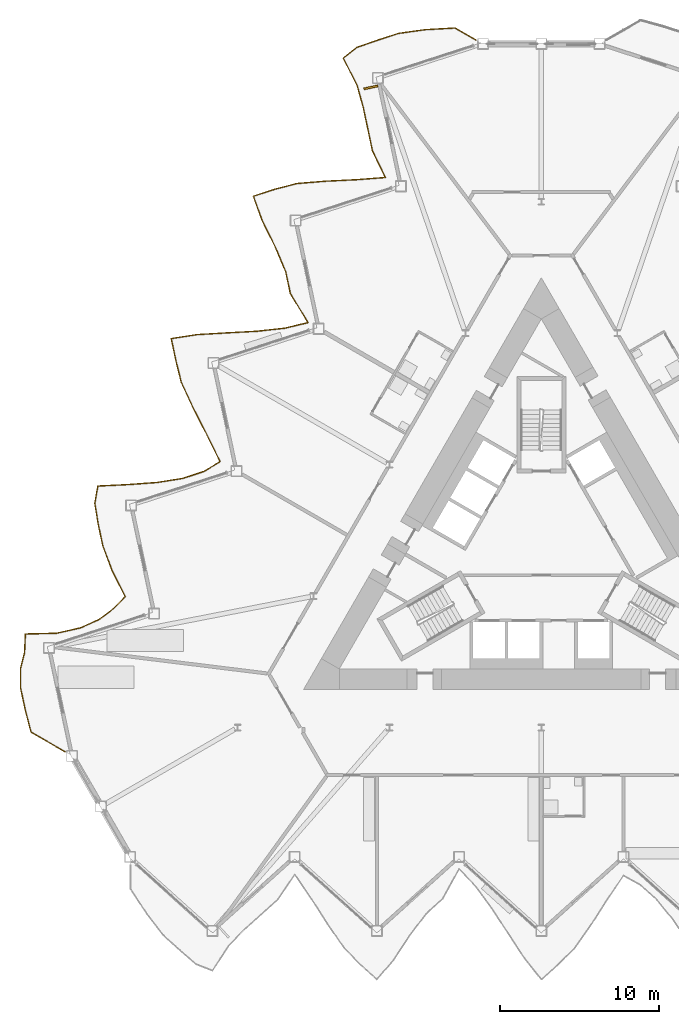
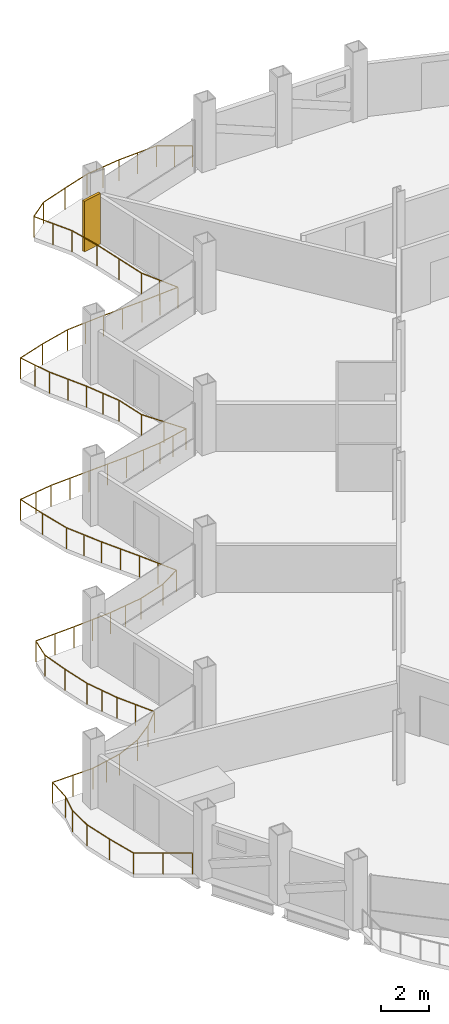
# One storey, part 21 of 24: 1 railing, 1 shading device.
"""IFC4 building model written with IfcOpenShell, lengths in metres."""

import ifcopenshell
import ifcopenshell.guid

model = None  # the IFC model being written
_history = None  # IfcOwnerHistory: only IFC2X3 demands one
_inside = {}  # id of a spatial element -> (the spatial element, [elements in it])
_under = {}  # id of a project, library or spatial element -> (it, [spatial elements below it])
_declared = {}  # id of a project -> (the project, [libraries it declares])
_typed = {}  # id of a type object -> (the type object, [elements of that type])
_made_of = {}  # id of a material, layer set ... -> (it, [elements and type objects made of it])


def new_model(schema):
    """Start an empty IFC model of exactly this schema.

    Asked for "IFC4X3", IfcOpenShell would pick the latest addendum, in which some entities
    have other attributes; the version numbers below select the first issue.
    IFC2X3 requires an IfcOwnerHistory on every rooted entity: one is made here for all.
    """
    global model, _history
    if schema == "IFC4X3":
        model = ifcopenshell.file(schema_version=(4, 3, 0, 0))
    else:
        model = ifcopenshell.file(schema=schema)
    _inside.clear()
    _under.clear()
    _declared.clear()
    _typed.clear()
    _made_of.clear()
    _history = None
    if model.schema == "IFC2X3":
        org = make("IfcOrganization", Name="unknown")
        user = make(
            "IfcPersonAndOrganization",
            ThePerson=make("IfcPerson", FamilyName="unknown"),
            TheOrganization=org,
        )
        app = make(
            "IfcApplication",
            ApplicationDeveloper=org,
            Version="unknown",
            ApplicationFullName="unknown",
            ApplicationIdentifier="unknown",
        )
        _history = make(
            "IfcOwnerHistory",
            OwningUser=user,
            OwningApplication=app,
            ChangeAction="ADDED",
            CreationDate=0,
        )
    return model


def make(cls, **values):
    """One entity of the class cls with the attributes given. An attribute that is None is left unset."""
    return model.create_entity(
        cls, **{name: value for name, value in values.items() if value is not None}
    )


def rooted(cls, **values):
    """An entity with a GlobalId (a new one), such as an element, a storey or a relation."""
    return make(cls, GlobalId=ifcopenshell.guid.new(), OwnerHistory=_history, **values)


def si_unit(unit_type, name, prefix=None):
    """IfcSIUnit, for example si_unit("LENGTHUNIT", "METRE", prefix="MILLI")."""
    return make("IfcSIUnit", UnitType=unit_type, Prefix=prefix, Name=name)


def assignment(units):
    """IfcUnitAssignment: the units of a project."""
    return None if units is None else make("IfcUnitAssignment", Units=units)


def point(xyz):
    """IfcCartesianPoint."""
    return None if xyz is None else make("IfcCartesianPoint", Coordinates=xyz)


def direction(xyz):
    """IfcDirection."""
    return None if xyz is None else make("IfcDirection", DirectionRatios=xyz)


def frame(location, z_axis=None, x_axis=None):
    """IfcAxis2Placement3D, a coordinate frame: its origin and axes. An axis left out is left unset."""
    return make(
        "IfcAxis2Placement3D",
        Location=point(location),
        Axis=direction(z_axis),
        RefDirection=direction(x_axis),
    )


def frame_2d(location, x_axis=None):
    """IfcAxis2Placement2D, a coordinate frame in the plane: its origin and x axis."""
    return make(
        "IfcAxis2Placement2D", Location=point(location), RefDirection=direction(x_axis)
    )


def origin():
    """The frame at (0, 0, 0) with its axes left unset."""
    return frame((0.0, 0.0, 0.0))


def origin_2d():
    """The frame at (0, 0) in the plane with its x axis left unset."""
    return frame_2d((0.0, 0.0))


def place(relative_to, where):
    """IfcLocalPlacement: puts the frame where relative to a parent placement (None: the world)."""
    return make(
        "IfcLocalPlacement", PlacementRelTo=relative_to, RelativePlacement=where
    )


def context(
    kind, dimensions, precision=None, world=None, true_north=None, identifier=None
):
    """IfcGeometricRepresentationContext, for example the 3D "Model" context."""
    return make(
        "IfcGeometricRepresentationContext",
        ContextIdentifier=identifier,
        ContextType=kind,
        CoordinateSpaceDimension=dimensions,
        Precision=precision,
        WorldCoordinateSystem=world,
        TrueNorth=true_north,
    )


def subcontext(parent, identifier, kind, view, scale=None):
    """IfcGeometricRepresentationSubContext, for example "Body" below "Model"."""
    return make(
        "IfcGeometricRepresentationSubContext",
        ContextIdentifier=identifier,
        ContextType=kind,
        ParentContext=parent,
        TargetScale=scale,
        TargetView=view,
    )


def project(units=None, contexts=None):
    """IfcProject with its units and contexts."""
    return rooted(
        "IfcProject",
        Name="project",
        RepresentationContexts=contexts,
        UnitsInContext=assignment(units),
    )


def spatial(cls, under=None, at=None, **own):
    """A site, building, storey or space (cls), placed at a placement, below another one or the project."""
    s = rooted(cls, ObjectPlacement=at, **own)
    if under is not None:
        _under.setdefault(under.id(), (under, []))[1].append(s)
    return s


def profile(cls, at=None, kind="AREA", **sizes):
    """A parametric profile (cls). Its sizes go by their IFC names, for example OverallWidth=200.0."""
    return make(cls, ProfileType=kind, Position=at, **sizes)


def rectangle(**sizes):
    """IfcRectangleProfileDef."""
    return profile("IfcRectangleProfileDef", **sizes)


def circle(**sizes):
    """IfcCircleProfileDef."""
    return profile("IfcCircleProfileDef", **sizes)


def extrude(swept, where, along, depth):
    """IfcExtrudedAreaSolid: the profile swept, set in the frame where, extruded along a direction by depth."""
    return make(
        "IfcExtrudedAreaSolid",
        SweptArea=swept,
        Position=where,
        ExtrudedDirection=direction(along),
        Depth=depth,
    )


def shape(context_of_items, identifier, shape_type, items):
    """IfcShapeRepresentation: the items that make up one representation, for example the "Body"."""
    return make(
        "IfcShapeRepresentation",
        ContextOfItems=context_of_items,
        RepresentationIdentifier=identifier,
        RepresentationType=shape_type,
        Items=items,
    )


def material(Name=None, Category=None):
    """IfcMaterial."""
    return make("IfcMaterial", Name=Name, Category=Category)


def layer(
    of_material, thickness, ventilated=None, Name=None, Category=None, Priority=None
):
    """IfcMaterialLayer: one layer of a wall or slab, of a material (None: an air gap)."""
    return make(
        "IfcMaterialLayer",
        Material=of_material,
        LayerThickness=thickness,
        IsVentilated=ventilated,
        Name=Name,
        Category=Category,
        Priority=Priority,
    )


def layer_set(layers, Name=None):
    """IfcMaterialLayerSet."""
    return make("IfcMaterialLayerSet", MaterialLayers=layers, LayerSetName=Name)


def made_of(thing, what):
    """Note that an element or type object is made of a material, layer set ...; save() writes the relation."""
    if what is not None:
        _made_of.setdefault(what.id(), (what, []))[1].append(thing)
    return thing


def type_object(cls, material=None, **own):
    """A type object (cls), such as IfcWallType, which elements share."""
    return made_of(rooted(cls, **own), material)


def element(
    cls,
    number,
    at=None,
    inside=None,
    cuts=None,
    type_object=None,
    material=None,
    context=None,
    identifier="Body",
    shape_type=None,
    held_by="IfcProductDefinitionShape",
    body=None,
    shapes=None,
    **own,
):
    """One element of the class cls, such as IfcWall. Its Tag is "e" and its number.

    at: its placement. inside: the storey or other place that contains it. cuts: it is an
    opening in that element (IfcRelVoidsElement). A single representation is given by context,
    identifier, shape_type and body (its items); several are given by shapes. held_by: the class
    of the entity that holds the representations. save() writes the other relations.
    """
    e = rooted(cls, Tag="e%d" % number, ObjectPlacement=at, **own)
    if body is not None:
        shapes = [shape(context, identifier, shape_type, body)]
    if shapes is not None:
        e.Representation = make(held_by, Representations=shapes)
    if inside is not None:
        _inside.setdefault(inside.id(), (inside, []))[1].append(e)
    if cuts is not None:
        rooted(
            "IfcRelVoidsElement", RelatingBuildingElement=cuts, RelatedOpeningElement=e
        )
    if type_object is not None:
        _typed.setdefault(type_object.id(), (type_object, []))[1].append(e)
    return made_of(e, material)


def aggregate(whole, parts):
    """IfcRelAggregates: a whole, such as a stair, and the parts it consists of."""
    return rooted("IfcRelAggregates", RelatingObject=whole, RelatedObjects=parts)


def save(model, path):
    """Write the relations noted so far, then the file.

    IfcRelAggregates (storeys below a building ...), IfcRelContainedInSpatialStructure (elements
    in a storey), IfcRelDefinesByType, IfcRelAssociatesMaterial and IfcRelDeclares: one each for
    every whole, place, type object, material and project.
    """
    for whole, parts in _under.values():
        aggregate(whole, parts)
    for where, things in _inside.values():
        rooted(
            "IfcRelContainedInSpatialStructure",
            RelatedElements=things,
            RelatingStructure=where,
        )
    for kind, things in _typed.values():
        rooted("IfcRelDefinesByType", RelatedObjects=things, RelatingType=kind)
    for what, things in _made_of.values():
        rooted("IfcRelAssociatesMaterial", RelatedObjects=things, RelatingMaterial=what)
    for by, libraries in _declared.values():
        rooted("IfcRelDeclares", RelatingContext=by, RelatedDefinitions=libraries)
    model.write(path)


model = new_model("IFC4")

# Units and contexts
model_context = context("Model", 3, precision=1e-05, world=origin(), true_north=direction((0.0, 1.0)))
body_context = subcontext(model_context, "Body", "Model", "MODEL_VIEW")
ifc_project = project(units=[si_unit("LENGTHUNIT", "METRE"), si_unit("AREAUNIT", "SQUARE_METRE"), si_unit("VOLUMEUNIT", "CUBIC_METRE"), si_unit("PLANEANGLEUNIT", "RADIAN"), si_unit("MASSUNIT", "GRAM", prefix="KILO")], contexts=[model_context])

# Site, building, storey
site_placement = place(None, origin())
site = spatial("IfcSite", under=ifc_project, at=site_placement, CompositionType="ELEMENT")
building_placement = place(site_placement, origin())
building = spatial("IfcBuilding", under=site, at=building_placement, Name="Cormorant Prow Tower", CompositionType="ELEMENT")
storey_placement = place(building_placement, frame((0.0, 0.0, 270.60009765625)))
storey = spatial("IfcBuildingStorey", under=building, at=storey_placement, Name="L61", CompositionType="ELEMENT", Elevation=270.60009765625)

# Railing
ifc_material_1 = material(Name="Aluminium 6063-T6", Category="aluminium")
railing_type = type_object("IfcRailingType", Name="Balcony guard 1100", PredefinedType="GUARDRAIL", material=ifc_material_1)
railing_placement = place(storey_placement, frame((-4.12060546875, 32.31591796875, 0.0)))
element("IfcRailing", 1, at=railing_placement, inside=storey, type_object=railing_type, Name="Balcony guard WNW", PredefinedType="GUARDRAIL", context=body_context, shape_type="SweptSolid", body=[
    extrude(circle(Radius=0.02392578125, at=origin_2d()), frame((0.0, 0.0, 1.076171875), z_axis=(-0.866030456496, 0.499991248344, 0.0), x_axis=(-0.499991248344, -0.866030456496, 0.0)), (0.0, 0.0, 1.0), 1.52001953125),
    extrude(circle(Radius=0.02392578125, at=origin_2d()), frame((-1.31640625, 0.760009765625, 1.076171875), z_axis=(-0.998441257211, -0.055812685821, 0.0), x_axis=(0.055812685821, -0.998441257211, 0.0)), (0.0, 0.0, 1.0), 1.89404296875),
    extrude(circle(Radius=0.02392578125, at=origin_2d()), frame((-3.20751953125, 0.654296875, 1.076171875), z_axis=(-0.990522347648, -0.13735166111, 0.0), x_axis=(0.13735166111, -0.990522347648, 0.0)), (0.0, 0.0, 1.0), 1.688720703125),
    extrude(circle(Radius=0.02392578125, at=origin_2d()), frame((-4.880126953125, 0.42236328125, 1.076171875), z_axis=(-0.951070062621, -0.308975299961, 0.0), x_axis=(0.308975299961, -0.951070062621, 0.0)), (0.0, 0.0, 1.0), 1.3955078125),
    extrude(circle(Radius=0.02392578125, at=origin_2d()), frame((-6.207275390625, -0.0087890625, 1.076171875), z_axis=(-0.945287929623, -0.326237229802, 0.0), x_axis=(0.326237229802, -0.945287929623, 0.0)), (0.0, 0.0, 1.0), 1.373291015625),
    extrude(circle(Radius=0.02392578125, at=origin_2d()), frame((-7.50537109375, -0.456787109375, 1.076171875), z_axis=(-0.781317751431, -0.62413345632, 0.0), x_axis=(0.62413345632, -0.781317751431, 0.0)), (0.0, 0.0, 1.0), 1.11376953125),
    extrude(circle(Radius=0.02392578125, at=origin_2d()), frame((-8.37548828125, -1.15185546875, 1.076171875), z_axis=(0.456033866956, -0.889962421785, 0.0), x_axis=(0.889962421785, 0.456033866956, 0.0)), (0.0, 0.0, 1.0), 1.91064453125),
    extrude(circle(Radius=0.02392578125, at=origin_2d()), frame((-7.504150390625, -2.852294921875, 1.076171875), z_axis=(0.265340915805, -0.964154654814, 0.0), x_axis=(0.964154654814, 0.265340915805, 0.0)), (0.0, 0.0, 1.0), 1.476806640625),
    extrude(circle(Radius=0.02392578125, at=origin_2d()), frame((-7.1123046875, -4.276123046875, 1.076171875), z_axis=(0.208011494814, -0.978126381418, 0.0), x_axis=(0.978126381418, 0.208011494814, 0.0)), (0.0, 0.0, 1.0), 1.3955078125),
    extrude(circle(Radius=0.02392578125, at=origin_2d()), frame((-6.822021484375, -5.64111328125, 1.076171875), z_axis=(0.207844108816, -0.978161963292, 0.0), x_axis=(0.978161963292, 0.207844108816, 0.0)), (0.0, 0.0, 1.0), 1.3955078125),
    extrude(circle(Radius=0.02392578125, at=origin_2d()), frame((-6.531982421875, -7.006103515625, 1.076171875), z_axis=(0.437214931901, -0.899357049965, 0.0), x_axis=(0.899357049965, 0.437214931901, 0.0)), (0.0, 0.0, 1.0), 1.85107421875),
    extrude(circle(Radius=0.02392578125, at=origin_2d()), frame((-5.72265625, -8.6708984375, 1.076171875), z_axis=(-0.997130549267, -0.075701173826, 0.0), x_axis=(0.075701173826, -0.997130549267, 0.0)), (0.0, 0.0, 1.0), 1.83837890625),
    extrude(circle(Radius=0.02392578125, at=origin_2d()), frame((-7.5556640625, -8.81005859375, 1.076171875), z_axis=(-0.998819753931, -0.048570558551, 0.0), x_axis=(0.048570558551, -0.998819753931, 0.0)), (0.0, 0.0, 1.0), 1.9150390625),
    extrude(circle(Radius=0.02392578125, at=origin_2d()), frame((-9.468505859375, -8.903076171875, 1.076171875), z_axis=(-0.996802519892, -0.07990454516, 0.0), x_axis=(0.07990454516, -0.996802519892, 0.0)), (0.0, 0.0, 1.0), 1.8271484375),
    extrude(circle(Radius=0.02392578125, at=origin_2d()), frame((-11.289794921875, -9.049072265625, 1.076171875), z_axis=(-0.967804794979, -0.251701964268, 0.0), x_axis=(0.251701964268, -0.967804794979, 0.0)), (0.0, 0.0, 1.0), 1.477294921875),
    extrude(circle(Radius=0.02392578125, at=origin_2d()), frame((-12.719482421875, -9.4208984375, 1.076171875), z_axis=(-0.951035354166, -0.309082117125, 0.0), x_axis=(0.309082117125, -0.951035354166, 0.0)), (0.0, 0.0, 1.0), 1.395751953125),
    extrude(circle(Radius=0.02392578125, at=origin_2d()), frame((-14.046875, -9.852294921875, 1.076171875), z_axis=(0.336278456087, -0.941762602768, 0.0), x_axis=(0.941762602768, 0.336278456087, 0.0)), (0.0, 0.0, 1.0), 1.6015625),
    extrude(circle(Radius=0.02392578125, at=origin_2d()), frame((-13.50830078125, -11.360595703125, 1.076171875), z_axis=(0.444710837176, -0.895674199304, 0.0), x_axis=(0.895674199304, 0.444710837176, 0.0)), (0.0, 0.0, 1.0), 1.874267578125),
    extrude(circle(Radius=0.02392578125, at=origin_2d()), frame((-12.6748046875, -13.039306640625, 1.076171875), z_axis=(0.388577962589, -0.921415849109, 0.0), x_axis=(0.921415849109, 0.388577962589, 0.0)), (0.0, 0.0, 1.0), 1.7177734375),
    extrude(circle(Radius=0.02392578125, at=origin_2d()), frame((-12.00732421875, -14.6220703125, 1.076171875), z_axis=(0.208011494814, -0.978126381418, 0.0), x_axis=(0.978126381418, 0.208011494814, 0.0)), (0.0, 0.0, 1.0), 1.3955078125),
    extrude(circle(Radius=0.02392578125, at=origin_2d()), frame((-11.717041015625, -15.987060546875, 1.076171875), z_axis=(0.517332299857, -0.8557846058, 0.0), x_axis=(0.8557846058, 0.517332299857, 0.0)), (0.0, 0.0, 1.0), 2.149658203125),
    extrude(circle(Radius=0.02392578125, at=origin_2d()), frame((-10.60498046875, -17.82666015625, 1.076171875), z_axis=(-0.97245049545, -0.233109489081, 0.0), x_axis=(0.233109489081, -0.97245049545, 0.0)), (0.0, 0.0, 1.0), 1.507080078125),
    extrude(circle(Radius=0.02392578125, at=origin_2d()), frame((-12.070556640625, -18.177978515625, 1.076171875), z_axis=(-0.993986931126, -0.109498770549, 0.0), x_axis=(0.109498770549, -0.993986931126, 0.0)), (0.0, 0.0, 1.0), 1.75244140625),
    extrude(circle(Radius=0.02392578125, at=origin_2d()), frame((-13.8125, -18.369873046875, 1.076171875), z_axis=(-0.998548818791, -0.053854029486, 0.0), x_axis=(0.053854029486, -0.998548818791, 0.0)), (0.0, 0.0, 1.0), 1.8994140625),
    extrude(circle(Radius=0.02392578125, at=origin_2d()), frame((-15.709228515625, -18.47216796875, 1.076171875), z_axis=(-0.9983204373, -0.057933621232, 0.0), x_axis=(0.057933621232, -0.9983204373, 0.0)), (0.0, 0.0, 1.0), 1.887939453125),
    extrude(circle(Radius=0.02392578125, at=origin_2d()), frame((-17.593994140625, -18.58154296875, 1.076171875), z_axis=(-0.988397231228, -0.151891123177, 0.0), x_axis=(0.151891123177, -0.988397231228, 0.0)), (0.0, 0.0, 1.0), 1.6572265625),
    extrude(circle(Radius=0.02392578125, at=origin_2d()), frame((-19.23193359375, -18.833251953125, 1.076171875), z_axis=(0.207844108816, -0.978161963292, 0.0), x_axis=(0.978161963292, 0.207844108816, 0.0)), (0.0, 0.0, 1.0), 1.3955078125),
    extrude(circle(Radius=0.02392578125, at=origin_2d()), frame((-18.94189453125, -20.1982421875, 1.076171875), z_axis=(0.238937755178, -0.971034885651, 0.0), x_axis=(0.971034885651, 0.238937755178, 0.0)), (0.0, 0.0, 1.0), 1.437744140625),
    extrude(circle(Radius=0.02392578125, at=origin_2d()), frame((-18.598388671875, -21.59423828125, 1.076171875), z_axis=(0.421544507458, -0.906807712931, 0.0), x_axis=(0.906807712931, 0.421544507458, 0.0)), (0.0, 0.0, 1.0), 1.8046875),
    extrude(circle(Radius=0.02392578125, at=origin_2d()), frame((-17.837646484375, -23.230712890625, 1.076171875), z_axis=(0.45663271827, -0.889655304377, 0.0), x_axis=(0.889655304377, 0.45663271827, 0.0)), (0.0, 0.0, 1.0), 1.9130859375),
    extrude(circle(Radius=0.02392578125, at=origin_2d()), frame((-16.964111328125, -24.9326171875, 1.076171875), z_axis=(0.439254934307, -0.898362456187, 0.0), x_axis=(0.898362456187, 0.439254934307, 0.0)), (0.0, 0.0, 1.0), 1.85693359375),
    extrude(circle(Radius=0.02392578125, at=origin_2d()), frame((-16.1484375, -26.600830078125, 1.076171875), z_axis=(-0.855961161769, -0.517040123727, 0.0), x_axis=(0.517040123727, -0.855961161769, 0.0)), (0.0, 0.0, 1.0), 1.184326171875),
    extrude(circle(Radius=0.02392578125, at=origin_2d()), frame((-17.162109375, -27.213134765625, 1.076171875), z_axis=(-0.949192192898, -0.314696966845, 0.0), x_axis=(0.314696966845, -0.949192192898, 0.0)), (0.0, 0.0, 1.0), 1.387939453125),
    extrude(circle(Radius=0.02392578125, at=origin_2d()), frame((-18.4794921875, -27.64990234375, 1.076171875), z_axis=(-0.987424879835, -0.158088920178, 0.0), x_axis=(0.158088920178, -0.987424879835, 0.0)), (0.0, 0.0, 1.0), 1.644775390625),
    extrude(circle(Radius=0.02392578125, at=origin_2d()), frame((-20.103515625, -27.909912109375, 1.076171875), z_axis=(-0.997406138785, -0.071979124158, 0.0), x_axis=(0.071979124158, -0.997406138785, 0.0)), (0.0, 0.0, 1.0), 1.8486328125),
    extrude(circle(Radius=0.02392578125, at=origin_2d()), frame((-21.947265625, -28.04296875, 1.076171875), z_axis=(-0.998806440378, -0.048843573374, 0.0), x_axis=(0.048843573374, -0.998806440378, 0.0)), (0.0, 0.0, 1.0), 1.914306640625),
    extrude(circle(Radius=0.02392578125, at=origin_2d()), frame((-23.859375, -28.136474609375, 1.076171875), z_axis=(-0.173684358034, -0.984801372752, 0.0), x_axis=(0.984801372752, -0.173684358034, 0.0)), (0.0, 0.0, 1.0), 1.103515625),
    extrude(circle(Radius=0.02392578125, at=origin_2d()), frame((-24.051025390625, -29.22314453125, 1.076171875), z_axis=(0.159960681819, -0.987123386549, 0.0), x_axis=(0.987123386549, 0.159960681819, 0.0)), (0.0, 0.0, 1.0), 1.338623046875),
    extrude(circle(Radius=0.02392578125, at=origin_2d()), frame((-23.8369140625, -30.54443359375, 1.076171875), z_axis=(0.207879683612, -0.978154403528, 0.0), x_axis=(0.978154403528, 0.207879683612, 0.0)), (0.0, 0.0, 1.0), 1.395263671875),
    extrude(circle(Radius=0.02392578125, at=origin_2d()), frame((-23.546875, -31.9091796875, 1.076171875), z_axis=(0.350335769468, -0.936624176835, 0.0), x_axis=(0.936624176835, 0.350335769468, 0.0)), (0.0, 0.0, 1.0), 1.630615234375),
    extrude(circle(Radius=0.02392578125, at=origin_2d()), frame((-22.9755859375, -33.4365234375, 1.076171875), z_axis=(0.44716170479, -0.894453134473, 0.0), x_axis=(0.894453134473, 0.44716170479, 0.0)), (0.0, 0.0, 1.0), 1.882080078125),
    extrude(circle(Radius=0.02392578125, at=origin_2d()), frame((-22.134033203125, -35.119873046875, 1.076171875), z_axis=(-0.702880587272, -0.711307865862, 0.0), x_axis=(0.711307865862, -0.702880587272, 0.0)), (0.0, 0.0, 1.0), 1.072021484375),
    extrude(circle(Radius=0.02392578125, at=origin_2d()), frame((-22.887451171875, -35.88232421875, 1.076171875), z_axis=(-0.798071149434, -0.602563225265, 0.0), x_axis=(0.602563225265, -0.798071149434, 0.0)), (0.0, 0.0, 1.0), 1.12646484375),
    extrude(circle(Radius=0.02392578125, at=origin_2d()), frame((-23.786376953125, -36.56103515625, 1.076171875), z_axis=(-0.913229067405, -0.407446524648, 0.0), x_axis=(0.407446524648, -0.913229067405, 0.0)), (0.0, 0.0, 1.0), 1.281005859375),
    extrude(circle(Radius=0.02392578125, at=origin_2d()), frame((-24.956298828125, -37.0830078125, 1.076171875), z_axis=(-0.974997424337, -0.222216161737, 0.0), x_axis=(0.222216161737, -0.974997424337, 0.0)), (0.0, 0.0, 1.0), 1.52490234375),
    extrude(circle(Radius=0.02392578125, at=origin_2d()), frame((-26.443115234375, -37.421875, 1.076171875), z_axis=(-0.999705164386, -0.024281357035, 0.0), x_axis=(0.024281357035, -0.999705164386, 0.0)), (0.0, 0.0, 1.0), 1.99072265625),
    extrude(circle(Radius=0.02392578125, at=origin_2d()), frame((-28.433349609375, -37.47021484375, 1.076171875), z_axis=(-0.043636556241, -0.999047471825, 0.0), x_axis=(0.999047471825, -0.043636556241, 0.0)), (0.0, 0.0, 1.0), 1.16943359375),
    extrude(circle(Radius=0.02392578125, at=origin_2d()), frame((-28.484375, -38.638427734375, 1.076171875), z_axis=(-0.241470500674, -0.97040816016, 0.0), x_axis=(0.97040816016, -0.241470500674, 0.0)), (0.0, 0.0, 1.0), 1.078857421875),
    extrude(circle(Radius=0.02392578125, at=origin_2d()), frame((-28.744873046875, -39.685302734375, 1.076171875), z_axis=(0.010534261484, -0.999944513128, 0.0), x_axis=(0.999944513128, 0.010534261484, 0.0)), (0.0, 0.0, 1.0), 1.205078125),
    extrude(circle(Radius=0.02392578125, at=origin_2d()), frame((-28.732177734375, -40.890380859375, 1.076171875), z_axis=(0.208011494814, -0.978126381418, 0.0), x_axis=(0.978126381418, 0.208011494814, 0.0)), (0.0, 0.0, 1.0), 1.3955078125),
    extrude(circle(Radius=0.02392578125, at=origin_2d()), frame((-28.44189453125, -42.25537109375, 1.076171875), z_axis=(0.253157934407, -0.967424963626, 0.0), x_axis=(0.967424963626, 0.253157934407, 0.0)), (0.0, 0.0, 1.0), 1.458251953125),
    extrude(circle(Radius=0.02392578125, at=origin_2d()), frame((-28.07275390625, -43.666015625, 1.076171875), z_axis=(0.866052736899, -0.499952654668, 0.0), x_axis=(0.499952654668, 0.866052736899, 0.0)), (0.0, 0.0, 1.0), 2.478759765625),
    extrude(circle(Radius=0.02099609375, at=origin_2d()), origin(), (0.0, 0.0, 1.0), 1.052001953125),
    extrude(circle(Radius=0.02099609375, at=origin_2d()), frame((-0.658203125, 0.3798828125, 0.0)), (0.0, 0.0, 1.0), 1.052001953125),
    extrude(circle(Radius=0.02099609375, at=origin_2d()), frame((-1.31640625, 0.760009765625, 0.0)), (0.0, 0.0, 1.0), 1.052001953125),
    extrude(circle(Radius=0.02099609375, at=origin_2d()), frame((-2.261962890625, 0.70703125, 0.0)), (0.0, 0.0, 1.0), 1.052001953125),
    extrude(circle(Radius=0.02099609375, at=origin_2d()), frame((-3.20751953125, 0.654296875, 0.0)), (0.0, 0.0, 1.0), 1.052001953125),
    extrude(circle(Radius=0.02099609375, at=origin_2d()), frame((-4.0439453125, 0.538330078125, 0.0)), (0.0, 0.0, 1.0), 1.052001953125),
    extrude(circle(Radius=0.02099609375, at=origin_2d()), frame((-4.880126953125, 0.42236328125, 0.0)), (0.0, 0.0, 1.0), 1.052001953125),
    extrude(circle(Radius=0.02099609375, at=origin_2d()), frame((-6.207275390625, -0.0087890625, 0.0)), (0.0, 0.0, 1.0), 1.052001953125),
    extrude(circle(Radius=0.02099609375, at=origin_2d()), frame((-7.50537109375, -0.456787109375, 0.0)), (0.0, 0.0, 1.0), 1.052001953125),
    extrude(circle(Radius=0.02099609375, at=origin_2d()), frame((-8.37548828125, -1.15185546875, 0.0)), (0.0, 0.0, 1.0), 1.052001953125),
    extrude(circle(Radius=0.02099609375, at=origin_2d()), frame((-7.93994140625, -2.001953125, 0.0)), (0.0, 0.0, 1.0), 1.052001953125),
    extrude(circle(Radius=0.02099609375, at=origin_2d()), frame((-7.504150390625, -2.852294921875, 0.0)), (0.0, 0.0, 1.0), 1.052001953125),
    extrude(circle(Radius=0.02099609375, at=origin_2d()), frame((-7.1123046875, -4.276123046875, 0.0)), (0.0, 0.0, 1.0), 1.052001953125),
    extrude(circle(Radius=0.02099609375, at=origin_2d()), frame((-6.822021484375, -5.64111328125, 0.0)), (0.0, 0.0, 1.0), 1.052001953125),
    extrude(circle(Radius=0.02099609375, at=origin_2d()), frame((-6.531982421875, -7.006103515625, 0.0)), (0.0, 0.0, 1.0), 1.052001953125),
    extrude(circle(Radius=0.02099609375, at=origin_2d()), frame((-6.12744140625, -7.83837890625, 0.0)), (0.0, 0.0, 1.0), 1.052001953125),
    extrude(circle(Radius=0.02099609375, at=origin_2d()), frame((-5.72265625, -8.6708984375, 0.0)), (0.0, 0.0, 1.0), 1.052001953125),
    extrude(circle(Radius=0.02099609375, at=origin_2d()), frame((-6.63916015625, -8.740478515625, 0.0)), (0.0, 0.0, 1.0), 1.052001953125),
    extrude(circle(Radius=0.02099609375, at=origin_2d()), frame((-7.5556640625, -8.81005859375, 0.0)), (0.0, 0.0, 1.0), 1.052001953125),
    extrude(circle(Radius=0.02099609375, at=origin_2d()), frame((-8.51220703125, -8.8564453125, 0.0)), (0.0, 0.0, 1.0), 1.052001953125),
    extrude(circle(Radius=0.02099609375, at=origin_2d()), frame((-9.468505859375, -8.903076171875, 0.0)), (0.0, 0.0, 1.0), 1.052001953125),
    extrude(circle(Radius=0.02099609375, at=origin_2d()), frame((-10.379150390625, -8.97607421875, 0.0)), (0.0, 0.0, 1.0), 1.052001953125),
    extrude(circle(Radius=0.02099609375, at=origin_2d()), frame((-11.289794921875, -9.049072265625, 0.0)), (0.0, 0.0, 1.0), 1.052001953125),
    extrude(circle(Radius=0.02099609375, at=origin_2d()), frame((-12.719482421875, -9.4208984375, 0.0)), (0.0, 0.0, 1.0), 1.052001953125),
    extrude(circle(Radius=0.02099609375, at=origin_2d()), frame((-14.046875, -9.852294921875, 0.0)), (0.0, 0.0, 1.0), 1.052001953125),
    extrude(circle(Radius=0.02099609375, at=origin_2d()), frame((-13.777587890625, -10.6064453125, 0.0)), (0.0, 0.0, 1.0), 1.052001953125),
    extrude(circle(Radius=0.02099609375, at=origin_2d()), frame((-13.50830078125, -11.360595703125, 0.0)), (0.0, 0.0, 1.0), 1.052001953125),
    extrude(circle(Radius=0.02099609375, at=origin_2d()), frame((-13.091552734375, -12.199951171875, 0.0)), (0.0, 0.0, 1.0), 1.052001953125),
    extrude(circle(Radius=0.02099609375, at=origin_2d()), frame((-12.6748046875, -13.039306640625, 0.0)), (0.0, 0.0, 1.0), 1.052001953125),
    extrude(circle(Radius=0.02099609375, at=origin_2d()), frame((-12.341064453125, -13.83056640625, 0.0)), (0.0, 0.0, 1.0), 1.052001953125),
    extrude(circle(Radius=0.02099609375, at=origin_2d()), frame((-12.00732421875, -14.6220703125, 0.0)), (0.0, 0.0, 1.0), 1.052001953125),
    extrude(circle(Radius=0.02099609375, at=origin_2d()), frame((-11.717041015625, -15.987060546875, 0.0)), (0.0, 0.0, 1.0), 1.052001953125),
    extrude(circle(Radius=0.02099609375, at=origin_2d()), frame((-11.1611328125, -16.90673828125, 0.0)), (0.0, 0.0, 1.0), 1.052001953125),
    extrude(circle(Radius=0.02099609375, at=origin_2d()), frame((-10.60498046875, -17.82666015625, 0.0)), (0.0, 0.0, 1.0), 1.052001953125),
    extrude(circle(Radius=0.02099609375, at=origin_2d()), frame((-11.337890625, -18.00244140625, 0.0)), (0.0, 0.0, 1.0), 1.052001953125),
    extrude(circle(Radius=0.02099609375, at=origin_2d()), frame((-12.070556640625, -18.177978515625, 0.0)), (0.0, 0.0, 1.0), 1.052001953125),
    extrude(circle(Radius=0.02099609375, at=origin_2d()), frame((-12.94140625, -18.27392578125, 0.0)), (0.0, 0.0, 1.0), 1.052001953125),
    extrude(circle(Radius=0.02099609375, at=origin_2d()), frame((-13.8125, -18.369873046875, 0.0)), (0.0, 0.0, 1.0), 1.052001953125),
    extrude(circle(Radius=0.02099609375, at=origin_2d()), frame((-14.7607421875, -18.4208984375, 0.0)), (0.0, 0.0, 1.0), 1.052001953125),
    extrude(circle(Radius=0.02099609375, at=origin_2d()), frame((-15.709228515625, -18.47216796875, 0.0)), (0.0, 0.0, 1.0), 1.052001953125),
    extrude(circle(Radius=0.02099609375, at=origin_2d()), frame((-16.651611328125, -18.52685546875, 0.0)), (0.0, 0.0, 1.0), 1.052001953125),
    extrude(circle(Radius=0.02099609375, at=origin_2d()), frame((-17.593994140625, -18.58154296875, 0.0)), (0.0, 0.0, 1.0), 1.052001953125),
    extrude(circle(Radius=0.02099609375, at=origin_2d()), frame((-18.4130859375, -18.70751953125, 0.0)), (0.0, 0.0, 1.0), 1.052001953125),
    extrude(circle(Radius=0.02099609375, at=origin_2d()), frame((-19.23193359375, -18.833251953125, 0.0)), (0.0, 0.0, 1.0), 1.052001953125),
    extrude(circle(Radius=0.02099609375, at=origin_2d()), frame((-18.94189453125, -20.1982421875, 0.0)), (0.0, 0.0, 1.0), 1.052001953125),
    extrude(circle(Radius=0.02099609375, at=origin_2d()), frame((-18.598388671875, -21.59423828125, 0.0)), (0.0, 0.0, 1.0), 1.052001953125),
    extrude(circle(Radius=0.02099609375, at=origin_2d()), frame((-18.218017578125, -22.41259765625, 0.0)), (0.0, 0.0, 1.0), 1.052001953125),
    extrude(circle(Radius=0.02099609375, at=origin_2d()), frame((-17.837646484375, -23.230712890625, 0.0)), (0.0, 0.0, 1.0), 1.052001953125),
    extrude(circle(Radius=0.02099609375, at=origin_2d()), frame((-17.40087890625, -24.08154296875, 0.0)), (0.0, 0.0, 1.0), 1.052001953125),
    extrude(circle(Radius=0.02099609375, at=origin_2d()), frame((-16.964111328125, -24.9326171875, 0.0)), (0.0, 0.0, 1.0), 1.052001953125),
    extrude(circle(Radius=0.02099609375, at=origin_2d()), frame((-16.55615234375, -25.7666015625, 0.0)), (0.0, 0.0, 1.0), 1.052001953125),
    extrude(circle(Radius=0.02099609375, at=origin_2d()), frame((-16.1484375, -26.600830078125, 0.0)), (0.0, 0.0, 1.0), 1.052001953125),
    extrude(circle(Radius=0.02099609375, at=origin_2d()), frame((-17.162109375, -27.213134765625, 0.0)), (0.0, 0.0, 1.0), 1.052001953125),
    extrude(circle(Radius=0.02099609375, at=origin_2d()), frame((-18.4794921875, -27.64990234375, 0.0)), (0.0, 0.0, 1.0), 1.052001953125),
    extrude(circle(Radius=0.02099609375, at=origin_2d()), frame((-19.29150390625, -27.77978515625, 0.0)), (0.0, 0.0, 1.0), 1.052001953125),
    extrude(circle(Radius=0.02099609375, at=origin_2d()), frame((-20.103515625, -27.909912109375, 0.0)), (0.0, 0.0, 1.0), 1.052001953125),
    extrude(circle(Radius=0.02099609375, at=origin_2d()), frame((-21.025390625, -27.9765625, 0.0)), (0.0, 0.0, 1.0), 1.052001953125),
    extrude(circle(Radius=0.02099609375, at=origin_2d()), frame((-21.947265625, -28.04296875, 0.0)), (0.0, 0.0, 1.0), 1.052001953125),
    extrude(circle(Radius=0.02099609375, at=origin_2d()), frame((-22.9033203125, -28.08984375, 0.0)), (0.0, 0.0, 1.0), 1.052001953125),
    extrude(circle(Radius=0.02099609375, at=origin_2d()), frame((-23.859375, -28.136474609375, 0.0)), (0.0, 0.0, 1.0), 1.052001953125),
    extrude(circle(Radius=0.02099609375, at=origin_2d()), frame((-24.051025390625, -29.22314453125, 0.0)), (0.0, 0.0, 1.0), 1.052001953125),
    extrude(circle(Radius=0.02099609375, at=origin_2d()), frame((-23.8369140625, -30.54443359375, 0.0)), (0.0, 0.0, 1.0), 1.052001953125),
    extrude(circle(Radius=0.02099609375, at=origin_2d()), frame((-23.546875, -31.9091796875, 0.0)), (0.0, 0.0, 1.0), 1.052001953125),
    extrude(circle(Radius=0.02099609375, at=origin_2d()), frame((-23.26123046875, -32.6728515625, 0.0)), (0.0, 0.0, 1.0), 1.052001953125),
    extrude(circle(Radius=0.02099609375, at=origin_2d()), frame((-22.9755859375, -33.4365234375, 0.0)), (0.0, 0.0, 1.0), 1.052001953125),
    extrude(circle(Radius=0.02099609375, at=origin_2d()), frame((-22.5546875, -34.2783203125, 0.0)), (0.0, 0.0, 1.0), 1.052001953125),
    extrude(circle(Radius=0.02099609375, at=origin_2d()), frame((-22.134033203125, -35.119873046875, 0.0)), (0.0, 0.0, 1.0), 1.052001953125),
    extrude(circle(Radius=0.02099609375, at=origin_2d()), frame((-22.887451171875, -35.88232421875, 0.0)), (0.0, 0.0, 1.0), 1.052001953125),
    extrude(circle(Radius=0.02099609375, at=origin_2d()), frame((-23.786376953125, -36.56103515625, 0.0)), (0.0, 0.0, 1.0), 1.052001953125),
    extrude(circle(Radius=0.02099609375, at=origin_2d()), frame((-24.956298828125, -37.0830078125, 0.0)), (0.0, 0.0, 1.0), 1.052001953125),
    extrude(circle(Radius=0.02099609375, at=origin_2d()), frame((-25.69970703125, -37.25244140625, 0.0)), (0.0, 0.0, 1.0), 1.052001953125),
    extrude(circle(Radius=0.02099609375, at=origin_2d()), frame((-26.443115234375, -37.421875, 0.0)), (0.0, 0.0, 1.0), 1.052001953125),
    extrude(circle(Radius=0.02099609375, at=origin_2d()), frame((-27.438232421875, -37.446044921875, 0.0)), (0.0, 0.0, 1.0), 1.052001953125),
    extrude(circle(Radius=0.02099609375, at=origin_2d()), frame((-28.433349609375, -37.47021484375, 0.0)), (0.0, 0.0, 1.0), 1.052001953125),
    extrude(circle(Radius=0.02099609375, at=origin_2d()), frame((-28.484375, -38.638427734375, 0.0)), (0.0, 0.0, 1.0), 1.052001953125),
    extrude(circle(Radius=0.02099609375, at=origin_2d()), frame((-28.744873046875, -39.685302734375, 0.0)), (0.0, 0.0, 1.0), 1.052001953125),
    extrude(circle(Radius=0.02099609375, at=origin_2d()), frame((-28.732177734375, -40.890380859375, 0.0)), (0.0, 0.0, 1.0), 1.052001953125),
    extrude(circle(Radius=0.02099609375, at=origin_2d()), frame((-28.44189453125, -42.25537109375, 0.0)), (0.0, 0.0, 1.0), 1.052001953125),
    extrude(circle(Radius=0.02099609375, at=origin_2d()), frame((-28.07275390625, -43.666015625, 0.0)), (0.0, 0.0, 1.0), 1.052001953125),
    extrude(circle(Radius=0.02099609375, at=origin_2d()), frame((-26.99951171875, -44.28564453125, 0.0)), (0.0, 0.0, 1.0), 1.052001953125),
    extrude(circle(Radius=0.02099609375, at=origin_2d()), frame((-25.926025390625, -44.9052734375, 0.0)), (0.0, 0.0, 1.0), 1.052001953125),
])

# Shading device
ifc_material_2 = material(Name="Terracotta", Category="masonry")
ifc_layer = layer(ifc_material_2, 0.1201171875)
ifc_layer_set = layer_set([ifc_layer], Name="Terracotta")
shading_device_type = type_object("IfcShadingDeviceType", Name="Terracotta baguette fin 120x900x2600", PredefinedType="USERDEFINED", material=ifc_layer_set)
shading_device_placement = place(storey_placement, frame((-10.7509765625, 29.327392578125, -0.000244140625), z_axis=(0.0, 0.0, 1.0), x_axis=(0.207911705739, -0.978147597562, 0.0)))
element("IfcShadingDevice", 2, at=shading_device_placement, inside=storey, type_object=shading_device_type, Name="Baguette fin WNW01", ObjectType="BAGUETTE", PredefinedType="USERDEFINED", context=body_context, shape_type="SweptSolid", body=[
    extrude(rectangle(XDim=0.1201171875, YDim=0.89990234375, at=origin_2d()), origin(), (0.0, 0.0, 1.0), 2.60009765625),
])

save(model, "model.ifc")
